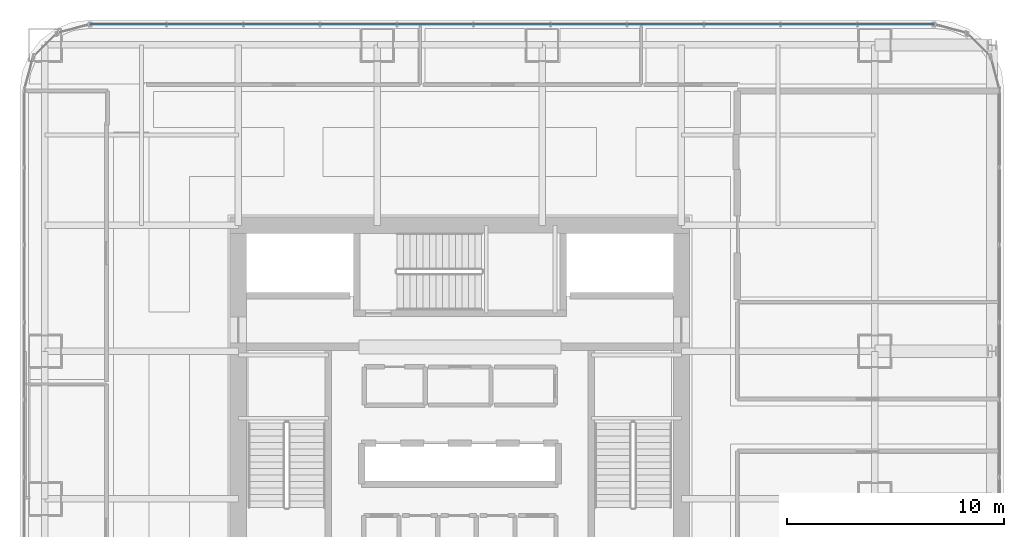
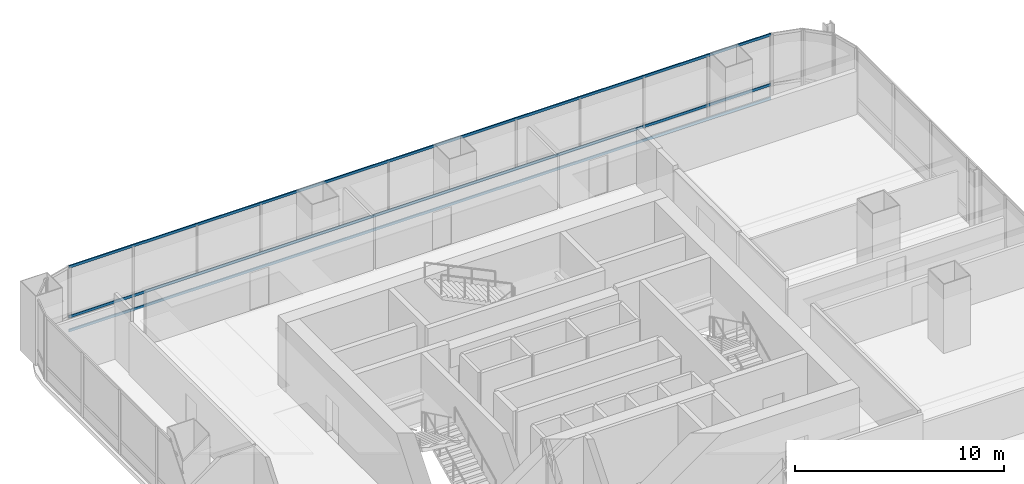
# One storey, part 21 of 34: 3 members, 1 element without a shape of its own.
"""IFC4 building model written with IfcOpenShell, lengths in metres."""

from ifc_helpers import new_model, si_unit, direction, frame, origin, origin_2d, place, context, subcontext, project, spatial, hollow_rectangle, extrude, material, material_profile, profile_set, type_object, element, aggregate, save


model = new_model("IFC4")

# Units and contexts
model_context = context("Model", 3, precision=1e-05, world=origin(), true_north=direction((0.0, 1.0)))
body_context = subcontext(model_context, "Body", "Model", "MODEL_VIEW")
ifc_project = project(units=[si_unit("LENGTHUNIT", "METRE"), si_unit("AREAUNIT", "SQUARE_METRE"), si_unit("VOLUMEUNIT", "CUBIC_METRE"), si_unit("PLANEANGLEUNIT", "RADIAN"), si_unit("MASSUNIT", "GRAM", prefix="KILO")], contexts=[model_context])

# Site, building, storey
site_placement = place(None, origin())
site = spatial("IfcSite", under=ifc_project, at=site_placement, CompositionType="ELEMENT")
building_placement = place(site_placement, origin())
building = spatial("IfcBuilding", under=site, at=building_placement, Name="Punatoya Terracotta Tower", CompositionType="ELEMENT")
storey_placement = place(building_placement, frame((0.0, 0.0, 80.85009765625)))
storey = spatial("IfcBuildingStorey", under=building, at=storey_placement, Name="L18", CompositionType="ELEMENT", Elevation=80.85009765625)

# Curtain wall, members
ifc_material_1 = material(Name="Aluminium 6063-T6 + Double Low-E Glass", Category="aluminium")
curtain_wall_type = type_object("IfcCurtainWallType", Name="CW-M1", PredefinedType="NOTDEFINED", material=ifc_material_1)
curtain_wall_placement = place(storey_placement, origin())
curtain_wall = element("IfcCurtainWall", 1, at=curtain_wall_placement, inside=storey, type_object=curtain_wall_type, Name="L18 Curtain Wall CW-L18-N09-1", PredefinedType="NOTDEFINED")
ifc_material_2 = material(Name="Aluminium 6063-T6", Category="aluminium")
ifc_material_profile = material_profile(ifc_material_2, hollow_rectangle(XDim=0.068115234375, YDim=0.14990234375, WallThickness=0.00390625, at=origin_2d()))
ifc_profile_set = profile_set([ifc_material_profile], Name="Aluminium 6063-T6")
member_type = type_object("IfcMemberType", Name="CW-TRN-TYP", PredefinedType="USERDEFINED", material=ifc_profile_set)
member_1_placement = place(storey_placement, frame((21.8369140625, 18.449951171875, 0.039794921875), z_axis=(-1.0, 0.0, 0.0), x_axis=(0.0, -1.0, 0.0)))
member_1 = element("IfcMember", 2, at=member_1_placement, type_object=member_type, Name="CW-L18-N09-1 Transom 1", ObjectType="TRANSOM", PredefinedType="USERDEFINED", context=body_context, shape_type="SweptSolid", body=[
    extrude(hollow_rectangle(XDim=0.068115234375, YDim=0.14990234375, WallThickness=0.00390625, at=origin_2d()), origin(), (0.0, 0.0, 1.0), 38.873779296875),
])
member_2_placement = place(storey_placement, frame((21.8369140625, 18.449951171875, 0.849853515625), z_axis=(-1.0, 0.0, 0.0), x_axis=(0.0, -1.0, 0.0)))
member_2 = element("IfcMember", 3, at=member_2_placement, type_object=member_type, Name="CW-L18-N09-1 Transom 2", ObjectType="TRANSOM", PredefinedType="USERDEFINED", context=body_context, shape_type="SweptSolid", body=[
    extrude(hollow_rectangle(XDim=0.068115234375, YDim=0.14990234375, WallThickness=0.00390625, at=origin_2d()), origin(), (0.0, 0.0, 1.0), 38.873779296875),
])
member_3_placement = place(storey_placement, frame((21.8369140625, 18.449951171875, 3.77001953125), z_axis=(-1.0, 0.0, 0.0), x_axis=(0.0, -1.0, 0.0)))
member_3 = element("IfcMember", 4, at=member_3_placement, type_object=member_type, Name="CW-L18-N09-1 Transom 3", ObjectType="TRANSOM", PredefinedType="USERDEFINED", context=body_context, shape_type="SweptSolid", body=[
    extrude(hollow_rectangle(XDim=0.068115234375, YDim=0.14990234375, WallThickness=0.00390625, at=origin_2d()), origin(), (0.0, 0.0, 1.0), 38.873779296875),
])
aggregate(curtain_wall, [member_1, member_2, member_3])

save(model, "model.ifc")
